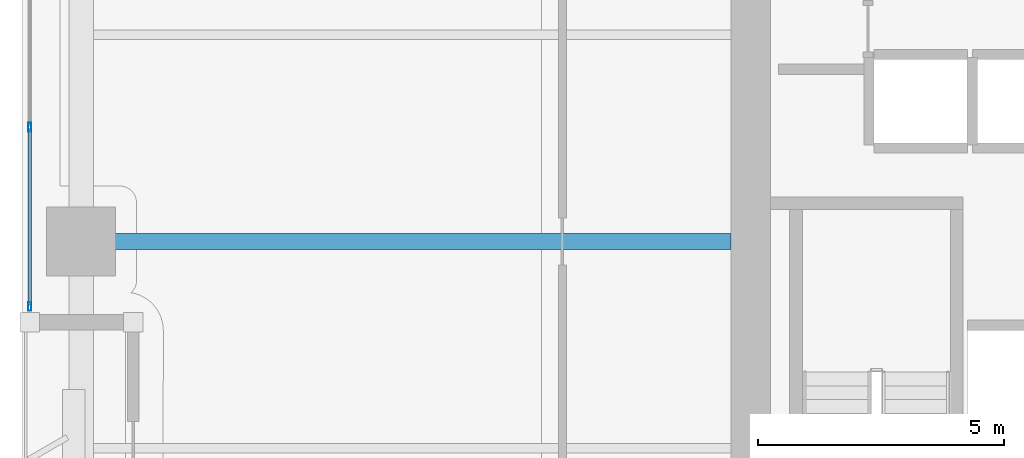
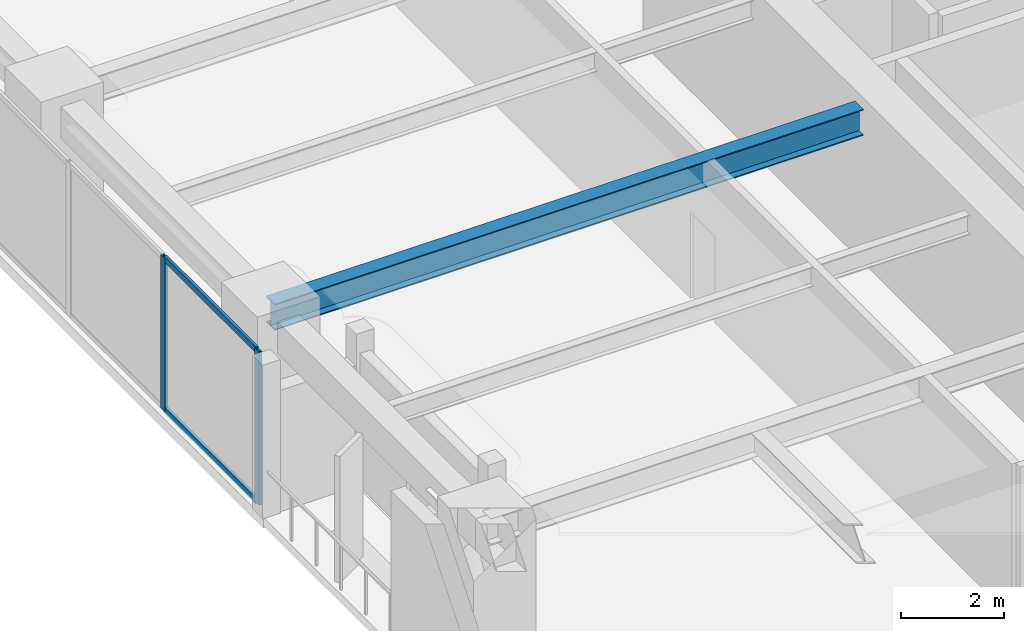
# One storey, part 2 of 24: 4 members, 1 beam, 1 element without a shape of its own.
"""IFC4 building model written with IfcOpenShell, lengths in metres."""

import ifcopenshell
import ifcopenshell.guid

model = None  # the IFC model being written
_history = None  # IfcOwnerHistory: only IFC2X3 demands one
_inside = {}  # id of a spatial element -> (the spatial element, [elements in it])
_under = {}  # id of a project, library or spatial element -> (it, [spatial elements below it])
_declared = {}  # id of a project -> (the project, [libraries it declares])
_typed = {}  # id of a type object -> (the type object, [elements of that type])
_made_of = {}  # id of a material, layer set ... -> (it, [elements and type objects made of it])


def new_model(schema):
    """Start an empty IFC model of exactly this schema.

    Asked for "IFC4X3", IfcOpenShell would pick the latest addendum, in which some entities
    have other attributes; the version numbers below select the first issue.
    IFC2X3 requires an IfcOwnerHistory on every rooted entity: one is made here for all.
    """
    global model, _history
    if schema == "IFC4X3":
        model = ifcopenshell.file(schema_version=(4, 3, 0, 0))
    else:
        model = ifcopenshell.file(schema=schema)
    _inside.clear()
    _under.clear()
    _declared.clear()
    _typed.clear()
    _made_of.clear()
    _history = None
    if model.schema == "IFC2X3":
        org = make("IfcOrganization", Name="unknown")
        user = make(
            "IfcPersonAndOrganization",
            ThePerson=make("IfcPerson", FamilyName="unknown"),
            TheOrganization=org,
        )
        app = make(
            "IfcApplication",
            ApplicationDeveloper=org,
            Version="unknown",
            ApplicationFullName="unknown",
            ApplicationIdentifier="unknown",
        )
        _history = make(
            "IfcOwnerHistory",
            OwningUser=user,
            OwningApplication=app,
            ChangeAction="ADDED",
            CreationDate=0,
        )
    return model


def make(cls, **values):
    """One entity of the class cls with the attributes given. An attribute that is None is left unset."""
    return model.create_entity(
        cls, **{name: value for name, value in values.items() if value is not None}
    )


def rooted(cls, **values):
    """An entity with a GlobalId (a new one), such as an element, a storey or a relation."""
    return make(cls, GlobalId=ifcopenshell.guid.new(), OwnerHistory=_history, **values)


def si_unit(unit_type, name, prefix=None):
    """IfcSIUnit, for example si_unit("LENGTHUNIT", "METRE", prefix="MILLI")."""
    return make("IfcSIUnit", UnitType=unit_type, Prefix=prefix, Name=name)


def assignment(units):
    """IfcUnitAssignment: the units of a project."""
    return None if units is None else make("IfcUnitAssignment", Units=units)


def point(xyz):
    """IfcCartesianPoint."""
    return None if xyz is None else make("IfcCartesianPoint", Coordinates=xyz)


def direction(xyz):
    """IfcDirection."""
    return None if xyz is None else make("IfcDirection", DirectionRatios=xyz)


def frame(location, z_axis=None, x_axis=None):
    """IfcAxis2Placement3D, a coordinate frame: its origin and axes. An axis left out is left unset."""
    return make(
        "IfcAxis2Placement3D",
        Location=point(location),
        Axis=direction(z_axis),
        RefDirection=direction(x_axis),
    )


def frame_2d(location, x_axis=None):
    """IfcAxis2Placement2D, a coordinate frame in the plane: its origin and x axis."""
    return make(
        "IfcAxis2Placement2D", Location=point(location), RefDirection=direction(x_axis)
    )


def origin():
    """The frame at (0, 0, 0) with its axes left unset."""
    return frame((0.0, 0.0, 0.0))


def origin_2d():
    """The frame at (0, 0) in the plane with its x axis left unset."""
    return frame_2d((0.0, 0.0))


def place(relative_to, where):
    """IfcLocalPlacement: puts the frame where relative to a parent placement (None: the world)."""
    return make(
        "IfcLocalPlacement", PlacementRelTo=relative_to, RelativePlacement=where
    )


def context(
    kind, dimensions, precision=None, world=None, true_north=None, identifier=None
):
    """IfcGeometricRepresentationContext, for example the 3D "Model" context."""
    return make(
        "IfcGeometricRepresentationContext",
        ContextIdentifier=identifier,
        ContextType=kind,
        CoordinateSpaceDimension=dimensions,
        Precision=precision,
        WorldCoordinateSystem=world,
        TrueNorth=true_north,
    )


def subcontext(parent, identifier, kind, view, scale=None):
    """IfcGeometricRepresentationSubContext, for example "Body" below "Model"."""
    return make(
        "IfcGeometricRepresentationSubContext",
        ContextIdentifier=identifier,
        ContextType=kind,
        ParentContext=parent,
        TargetScale=scale,
        TargetView=view,
    )


def project(units=None, contexts=None):
    """IfcProject with its units and contexts."""
    return rooted(
        "IfcProject",
        Name="project",
        RepresentationContexts=contexts,
        UnitsInContext=assignment(units),
    )


def spatial(cls, under=None, at=None, **own):
    """A site, building, storey or space (cls), placed at a placement, below another one or the project."""
    s = rooted(cls, ObjectPlacement=at, **own)
    if under is not None:
        _under.setdefault(under.id(), (under, []))[1].append(s)
    return s


def profile(cls, at=None, kind="AREA", **sizes):
    """A parametric profile (cls). Its sizes go by their IFC names, for example OverallWidth=200.0."""
    return make(cls, ProfileType=kind, Position=at, **sizes)


def hollow_rectangle(**sizes):
    """IfcRectangleHollowProfileDef."""
    return profile("IfcRectangleHollowProfileDef", **sizes)


def i_section(**sizes):
    """IfcIShapeProfileDef."""
    return profile("IfcIShapeProfileDef", **sizes)


def extrude(swept, where, along, depth):
    """IfcExtrudedAreaSolid: the profile swept, set in the frame where, extruded along a direction by depth."""
    return make(
        "IfcExtrudedAreaSolid",
        SweptArea=swept,
        Position=where,
        ExtrudedDirection=direction(along),
        Depth=depth,
    )


def shape(context_of_items, identifier, shape_type, items):
    """IfcShapeRepresentation: the items that make up one representation, for example the "Body"."""
    return make(
        "IfcShapeRepresentation",
        ContextOfItems=context_of_items,
        RepresentationIdentifier=identifier,
        RepresentationType=shape_type,
        Items=items,
    )


def material(Name=None, Category=None):
    """IfcMaterial."""
    return make("IfcMaterial", Name=Name, Category=Category)


def layer(
    of_material, thickness, ventilated=None, Name=None, Category=None, Priority=None
):
    """IfcMaterialLayer: one layer of a wall or slab, of a material (None: an air gap)."""
    return make(
        "IfcMaterialLayer",
        Material=of_material,
        LayerThickness=thickness,
        IsVentilated=ventilated,
        Name=Name,
        Category=Category,
        Priority=Priority,
    )


def layer_set(layers, Name=None):
    """IfcMaterialLayerSet."""
    return make("IfcMaterialLayerSet", MaterialLayers=layers, LayerSetName=Name)


def material_profile(
    of_material, cross_section, Name=None, Category=None, Priority=None
):
    """IfcMaterialProfile: a cross section and its material."""
    return make(
        "IfcMaterialProfile",
        Name=Name,
        Material=of_material,
        Profile=cross_section,
        Priority=Priority,
        Category=Category,
    )


def profile_set(profiles, Name=None, composite=None):
    """IfcMaterialProfileSet."""
    return make(
        "IfcMaterialProfileSet",
        Name=Name,
        MaterialProfiles=profiles,
        CompositeProfile=composite,
    )


def made_of(thing, what):
    """Note that an element or type object is made of a material, layer set ...; save() writes the relation."""
    if what is not None:
        _made_of.setdefault(what.id(), (what, []))[1].append(thing)
    return thing


def type_object(cls, material=None, **own):
    """A type object (cls), such as IfcWallType, which elements share."""
    return made_of(rooted(cls, **own), material)


def element(
    cls,
    number,
    at=None,
    inside=None,
    cuts=None,
    type_object=None,
    material=None,
    context=None,
    identifier="Body",
    shape_type=None,
    held_by="IfcProductDefinitionShape",
    body=None,
    shapes=None,
    **own,
):
    """One element of the class cls, such as IfcWall. Its Tag is "e" and its number.

    at: its placement. inside: the storey or other place that contains it. cuts: it is an
    opening in that element (IfcRelVoidsElement). A single representation is given by context,
    identifier, shape_type and body (its items); several are given by shapes. held_by: the class
    of the entity that holds the representations. save() writes the other relations.
    """
    e = rooted(cls, Tag="e%d" % number, ObjectPlacement=at, **own)
    if body is not None:
        shapes = [shape(context, identifier, shape_type, body)]
    if shapes is not None:
        e.Representation = make(held_by, Representations=shapes)
    if inside is not None:
        _inside.setdefault(inside.id(), (inside, []))[1].append(e)
    if cuts is not None:
        rooted(
            "IfcRelVoidsElement", RelatingBuildingElement=cuts, RelatedOpeningElement=e
        )
    if type_object is not None:
        _typed.setdefault(type_object.id(), (type_object, []))[1].append(e)
    return made_of(e, material)


def aggregate(whole, parts):
    """IfcRelAggregates: a whole, such as a stair, and the parts it consists of."""
    return rooted("IfcRelAggregates", RelatingObject=whole, RelatedObjects=parts)


def save(model, path):
    """Write the relations noted so far, then the file.

    IfcRelAggregates (storeys below a building ...), IfcRelContainedInSpatialStructure (elements
    in a storey), IfcRelDefinesByType, IfcRelAssociatesMaterial and IfcRelDeclares: one each for
    every whole, place, type object, material and project.
    """
    for whole, parts in _under.values():
        aggregate(whole, parts)
    for where, things in _inside.values():
        rooted(
            "IfcRelContainedInSpatialStructure",
            RelatedElements=things,
            RelatingStructure=where,
        )
    for kind, things in _typed.values():
        rooted("IfcRelDefinesByType", RelatedObjects=things, RelatingType=kind)
    for what, things in _made_of.values():
        rooted("IfcRelAssociatesMaterial", RelatedObjects=things, RelatingMaterial=what)
    for by, libraries in _declared.values():
        rooted("IfcRelDeclares", RelatingContext=by, RelatedDefinitions=libraries)
    model.write(path)


model = new_model("IFC4")

# Units and contexts
model_context = context("Model", 3, precision=1e-05, world=origin(), true_north=direction((0.0, 1.0)))
body_context = subcontext(model_context, "Body", "Model", "MODEL_VIEW")
ifc_project = project(units=[si_unit("LENGTHUNIT", "METRE"), si_unit("AREAUNIT", "SQUARE_METRE"), si_unit("VOLUMEUNIT", "CUBIC_METRE"), si_unit("PLANEANGLEUNIT", "RADIAN"), si_unit("MASSUNIT", "GRAM", prefix="KILO")], contexts=[model_context])

# Site, building, storey
site_placement = place(None, origin())
site = spatial("IfcSite", under=ifc_project, at=site_placement, CompositionType="ELEMENT")
building_placement = place(site_placement, origin())
building = spatial("IfcBuilding", under=site, at=building_placement, Name="Kiyonajd Concourse Tower", CompositionType="ELEMENT")
storey_placement = place(building_placement, frame((0.0, 0.0, 97.5)))
storey = spatial("IfcBuildingStorey", under=building, at=storey_placement, Name="L25", CompositionType="ELEMENT", Elevation=97.5)

# Beam
ifc_material_1 = material(Name="Steel ASTM A992 Grade 50", Category="steel")
ifc_material_profile_1 = material_profile(ifc_material_1, i_section(OverallWidth=0.326904296875, OverallDepth=0.6220703125, WebThickness=0.015380859375, FlangeThickness=0.0244140625, at=origin_2d()), Name="W610X195")
ifc_profile_set_1 = profile_set([ifc_material_profile_1], Name="Steel ASTM A992 Grade 50")
beam_type = type_object("IfcBeamType", Name="BM-TWR-610A", PredefinedType="BEAM", material=ifc_profile_set_1)
beam_placement = place(storey_placement, frame((19.199951171875, 36.0, 3.3291015625), z_axis=(1.0, 0.0, 0.0), x_axis=(0.0, 1.0, 0.0)))
element("IfcBeam", 1, at=beam_placement, inside=storey, type_object=beam_type, Name="L25 West Lease Girder", PredefinedType="BEAM", context=body_context, shape_type="SweptSolid", body=[
    extrude(i_section(OverallWidth=0.326904296875, OverallDepth=0.6220703125, WebThickness=0.015380859375, FlangeThickness=0.0244140625, at=origin_2d()), origin(), (0.0, 0.0, 1.0), 13.199951171875),
])

# Curtain wall, members
ifc_material_2 = material(Name="Thermally Broken Anodised Aluminium", Category="aluminium")
ifc_layer = layer(ifc_material_2, 0.179931640625)
ifc_layer_set = layer_set([ifc_layer], Name="Thermally Broken Anodised Aluminium")
curtain_wall_type = type_object("IfcCurtainWallType", Name="CW-SYS-03", PredefinedType="NOTDEFINED", material=ifc_layer_set)
curtain_wall_placement = place(storey_placement, origin())
curtain_wall = element("IfcCurtainWall", 2, at=curtain_wall_placement, inside=storey, type_object=curtain_wall_type, Name="L25 Unitised Curtain Wall CW3", PredefinedType="NOTDEFINED")
ifc_material_profile_2 = material_profile(ifc_material_2, hollow_rectangle(XDim=0.06494140625, YDim=0.179931640625, WallThickness=0.00390625, at=origin_2d()), Name="MULL-65x180")
ifc_profile_set_2 = profile_set([ifc_material_profile_2], Name="Thermally Broken Anodised Aluminium")
member_type_1 = type_object("IfcMemberType", Name="MB-CW-MULL1", PredefinedType="MULLION", material=ifc_profile_set_2)
member_1_placement = place(storey_placement, frame((18.159912109375, 34.6826171875, 0.0), z_axis=(0.0, 0.0, 1.0), x_axis=(-1.0, 0.0, 0.0)))
member_1 = element("IfcMember", 3, at=member_1_placement, type_object=member_type_1, Name="CW3 mullion 1", PredefinedType="MULLION", context=body_context, shape_type="SweptSolid", body=[
    extrude(hollow_rectangle(XDim=0.06494140625, YDim=0.179931640625, WallThickness=0.00390625, at=origin_2d()), origin(), (0.0, 0.0, 1.0), 3.639892578125),
])
member_2_placement = place(storey_placement, frame((18.159912109375, 38.3232421875, 0.0), z_axis=(0.0, 0.0, 1.0), x_axis=(-1.0, 0.0, 0.0)))
member_2 = element("IfcMember", 4, at=member_2_placement, type_object=member_type_1, Name="CW3 mullion 2", PredefinedType="MULLION", context=body_context, shape_type="SweptSolid", body=[
    extrude(hollow_rectangle(XDim=0.06494140625, YDim=0.179931640625, WallThickness=0.00390625, at=origin_2d()), origin(), (0.0, 0.0, 1.0), 3.639892578125),
])
ifc_material_profile_3 = material_profile(ifc_material_2, hollow_rectangle(XDim=0.06494140625, YDim=0.139892578125, WallThickness=0.00390625, at=origin_2d()), Name="TRAN-65x140")
ifc_profile_set_3 = profile_set([ifc_material_profile_3], Name="Thermally Broken Anodised Aluminium")
member_type_2 = type_object("IfcMemberType", Name="MB-CW-TRAN1", PredefinedType="USERDEFINED", material=ifc_profile_set_3)
member_3_placement = place(storey_placement, frame((18.159912109375, 34.715087890625, 0.032470703125), z_axis=(0.0, 1.0, 0.0), x_axis=(-1.0, 0.0, 0.0)))
member_3 = element("IfcMember", 5, at=member_3_placement, type_object=member_type_2, Name="CW3 transom 1.1", ObjectType="TRANSOM", PredefinedType="USERDEFINED", context=body_context, shape_type="SweptSolid", body=[
    extrude(hollow_rectangle(XDim=0.06494140625, YDim=0.139892578125, WallThickness=0.00390625, at=origin_2d()), origin(), (0.0, 0.0, 1.0), 3.57568359375),
])
member_4_placement = place(storey_placement, frame((18.159912109375, 34.715087890625, 3.607421875), z_axis=(0.0, 1.0, 0.0), x_axis=(-1.0, 0.0, 0.0)))
member_4 = element("IfcMember", 6, at=member_4_placement, type_object=member_type_2, Name="CW3 transom 1.2", ObjectType="TRANSOM", PredefinedType="USERDEFINED", context=body_context, shape_type="SweptSolid", body=[
    extrude(hollow_rectangle(XDim=0.06494140625, YDim=0.139892578125, WallThickness=0.00390625, at=origin_2d()), origin(), (0.0, 0.0, 1.0), 3.57568359375),
])
aggregate(curtain_wall, [member_1, member_2, member_3, member_4])

save(model, "model.ifc")
